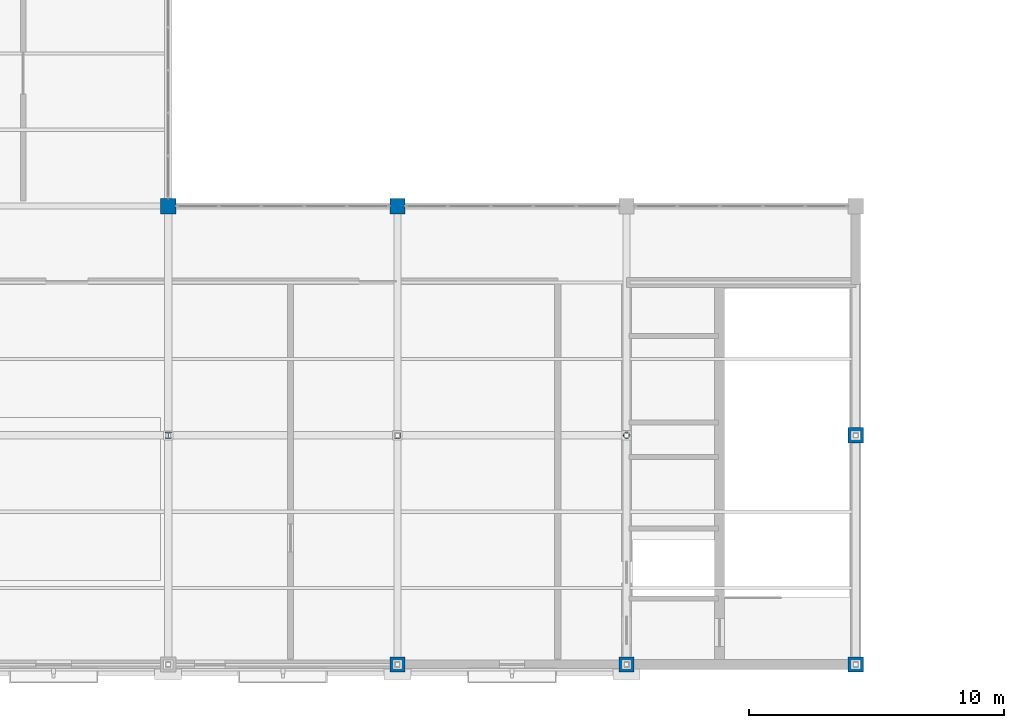
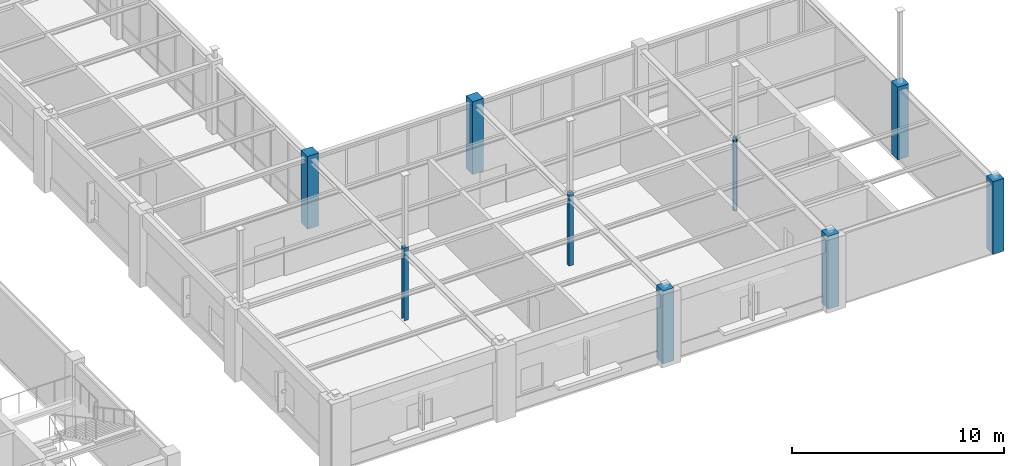
# One storey, part 5 of 97: 9 columns.
"""IFC4 building model written with IfcOpenShell, lengths in metres."""

from ifc_helpers import new_model, si_unit, direction, frame, origin, origin_2d, place, context, subcontext, project, spatial, rectangle, hollow_rectangle, hollow_circle, i_section, extrude, material, material_profile, profile_set, type_object, element, save


model = new_model("IFC4")

# Units and contexts
model_context = context("Model", 3, precision=1e-05, world=origin(), true_north=direction((0.0, 1.0)))
body_context = subcontext(model_context, "Body", "Model", "MODEL_VIEW")
ifc_project = project(units=[si_unit("LENGTHUNIT", "METRE"), si_unit("AREAUNIT", "SQUARE_METRE"), si_unit("VOLUMEUNIT", "CUBIC_METRE"), si_unit("PLANEANGLEUNIT", "RADIAN"), si_unit("MASSUNIT", "GRAM", prefix="KILO")], contexts=[model_context])

# Site, building, storey
site_placement = place(None, origin())
site = spatial("IfcSite", under=ifc_project, at=site_placement, CompositionType="ELEMENT")
building_placement = place(site_placement, origin())
building = spatial("IfcBuilding", under=site, at=building_placement, Name="Lykobir Media Centre", CompositionType="ELEMENT")
storey_placement = place(building_placement, frame((0.0, 0.0, 23.39990234375)))
storey = spatial("IfcBuildingStorey", under=building, at=storey_placement, Name="L05", CompositionType="ELEMENT", Elevation=23.39990234375)

# Columns
ifc_material_1 = material(Name="Concrete C40/50", Category="concrete")
ifc_material_profile_1 = material_profile(ifc_material_1, rectangle(XDim=0.60009765625, YDim=0.60009765625, at=origin_2d()), Name="RC 600x600")
ifc_profile_set_1 = profile_set([ifc_material_profile_1], Name="Concrete C40/50")
column_type_1 = type_object("IfcColumnType", Name="RC-C600", PredefinedType="COLUMN", material=ifc_profile_set_1)
for number, where, z_axis, x_axis, name in (
    (1, (99.0, 18.0, 0.0), (0.0, 0.0, 1.0), (1.0, 0.0, 0.0), "Column COL-L05-0990-0180"),
    (2, (108.0, 18.0, 0.0), (0.0, 0.0, 1.0), (1.0, 0.0, 0.0), "Column COL-L05-1080-0180"),
    (3, (126.0, 9.0, 0.0), (0.0, 0.0, 1.0), (1.0, 0.0, 0.0), "Column COL-L05-1260-0090"),
):
    element("IfcColumn", number, at=place(storey_placement, frame(where, z_axis=z_axis, x_axis=x_axis)), inside=storey, type_object=column_type_1, Name=name, PredefinedType="COLUMN", context=body_context, shape_type="SweptSolid", body=[
        extrude(rectangle(XDim=0.60009765625, YDim=0.60009765625, at=origin_2d()), origin(), (0.0, 0.0, 1.0), 4.2001953125),
    ])
ifc_material_profile_2 = material_profile(ifc_material_1, rectangle(XDim=0.60009765625, YDim=0.60009765625, at=origin_2d()), Name="RC 600x600")
ifc_profile_set_2 = profile_set([ifc_material_profile_2], Name="Concrete C40/50")
column_type_2 = type_object("IfcColumnType", Name="RC-C600-E", PredefinedType="COLUMN", material=ifc_profile_set_2)
for number, where, z_axis, x_axis, name in (
    (4, (108.0, 0.0, 0.0), (0.0, 0.0, 1.0), (1.0, 0.0, 0.0), "Column COL-L05-1080-0000"),
    (5, (117.0, 0.0, 0.0), (0.0, 0.0, 1.0), (1.0, 0.0, 0.0), "Column COL-L05-1170-0000"),
    (6, (126.0, 0.0, 0.0), (0.0, 0.0, 1.0), (1.0, 0.0, 0.0), "Column COL-L05-1260-0000"),
):
    element("IfcColumn", number, at=place(storey_placement, frame(where, z_axis=z_axis, x_axis=x_axis)), inside=storey, type_object=column_type_2, Name=name, PredefinedType="COLUMN", context=body_context, shape_type="SweptSolid", body=[
        extrude(rectangle(XDim=0.60009765625, YDim=0.60009765625, at=origin_2d()), origin(), (0.0, 0.0, 1.0), 4.2001953125),
    ])
ifc_material_2 = material(Name="Steel S355", Category="steel")
ifc_material_profile_3 = material_profile(ifc_material_2, hollow_circle(Radius=0.122314453125, WallThickness=0.012451171875, at=origin_2d()), Name="CHS 244.5x12.5")
ifc_profile_set_3 = profile_set([ifc_material_profile_3], Name="Steel S355")
column_type_3 = type_object("IfcColumnType", Name="SC-CHS244", PredefinedType="COLUMN", material=ifc_profile_set_3)
column_1_placement = place(storey_placement, frame((117.0, 9.0, 0.0), z_axis=(0.0, 0.0, 1.0), x_axis=(1.0, 0.0, 0.0)))
element("IfcColumn", 7, at=column_1_placement, inside=storey, type_object=column_type_3, Name="Column COL-L05-1170-0090", PredefinedType="COLUMN", context=body_context, shape_type="SweptSolid", body=[
    extrude(hollow_circle(Radius=0.122314453125, WallThickness=0.012451171875, at=origin_2d()), origin(), (0.0, 0.0, 1.0), 4.2001953125),
])
ifc_material_profile_4 = material_profile(ifc_material_2, i_section(OverallWidth=0.239990234375, OverallDepth=0.239990234375, WebThickness=0.010009765625, FlangeThickness=0.01708984375, at=origin_2d()), Name="HEB 240")
ifc_profile_set_4 = profile_set([ifc_material_profile_4], Name="Steel S355")
column_type_4 = type_object("IfcColumnType", Name="SC-HEB240", PredefinedType="COLUMN", material=ifc_profile_set_4)
column_2_placement = place(storey_placement, frame((99.0, 9.0, 0.0), z_axis=(0.0, 0.0, 1.0), x_axis=(1.0, 0.0, 0.0)))
element("IfcColumn", 8, at=column_2_placement, inside=storey, type_object=column_type_4, Name="Column COL-L05-0990-0090", PredefinedType="COLUMN", context=body_context, shape_type="SweptSolid", body=[
    extrude(i_section(OverallWidth=0.239990234375, OverallDepth=0.239990234375, WebThickness=0.010009765625, FlangeThickness=0.01708984375, at=origin_2d()), origin(), (0.0, 0.0, 1.0), 4.2001953125),
])
ifc_material_profile_5 = material_profile(ifc_material_2, hollow_rectangle(XDim=0.219970703125, YDim=0.219970703125, WallThickness=0.012451171875, at=origin_2d()), Name="SHS 220x220x12.5")
ifc_profile_set_5 = profile_set([ifc_material_profile_5], Name="Steel S355")
column_type_5 = type_object("IfcColumnType", Name="SC-SHS220", PredefinedType="COLUMN", material=ifc_profile_set_5)
column_3_placement = place(storey_placement, frame((108.0, 9.0, 0.0), z_axis=(0.0, 0.0, 1.0), x_axis=(1.0, 0.0, 0.0)))
element("IfcColumn", 9, at=column_3_placement, inside=storey, type_object=column_type_5, Name="Column COL-L05-1080-0090", PredefinedType="COLUMN", context=body_context, shape_type="SweptSolid", body=[
    extrude(hollow_rectangle(XDim=0.219970703125, YDim=0.219970703125, WallThickness=0.012451171875, at=origin_2d()), origin(), (0.0, 0.0, 1.0), 4.2001953125),
])

save(model, "model.ifc")
